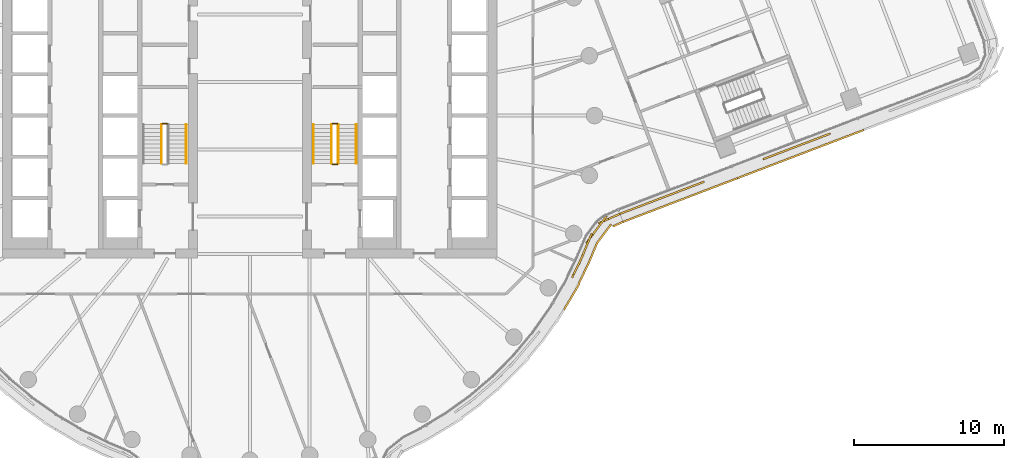
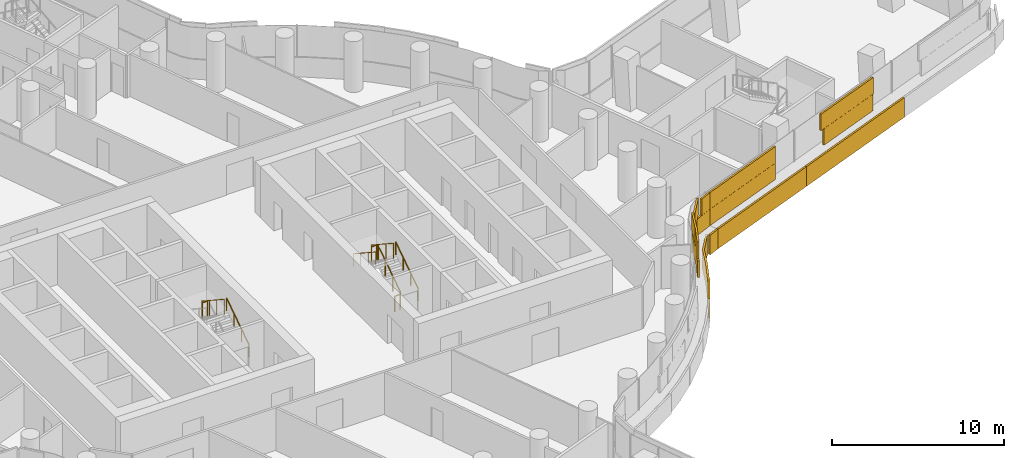
# One storey, part 29 of 32: 9 railings, 3 coverings.
"""IFC4 building model written with IfcOpenShell, lengths in metres."""

from ifc_helpers import new_model, si_unit, direction, frame, origin, origin_2d, place, context, subcontext, project, spatial, rectangle, circle, extrude, material, layer, layer_set, type_object, element, save


model = new_model("IFC4")

# Units and contexts
model_context = context("Model", 3, precision=1e-05, world=origin(), true_north=direction((0.0, 1.0)))
body_context = subcontext(model_context, "Body", "Model", "MODEL_VIEW")
ifc_project = project(units=[si_unit("LENGTHUNIT", "METRE"), si_unit("AREAUNIT", "SQUARE_METRE"), si_unit("VOLUMEUNIT", "CUBIC_METRE"), si_unit("PLANEANGLEUNIT", "RADIAN"), si_unit("MASSUNIT", "GRAM", prefix="KILO")], contexts=[model_context])

# Site, building, storey
site_placement = place(None, origin())
site = spatial("IfcSite", under=ifc_project, at=site_placement, CompositionType="ELEMENT")
building_placement = place(site_placement, origin())
building = spatial("IfcBuilding", under=site, at=building_placement, Name="Tamarind Cross Interchange Tower", CompositionType="ELEMENT")
storey_placement = place(building_placement, frame((0.0, 0.0, 109.75)))
storey = spatial("IfcBuildingStorey", under=building, at=storey_placement, Name="L26", CompositionType="ELEMENT", Elevation=109.75)

# Railings
ifc_material_1 = material(Name="Stair guard")
railing_type_1 = type_object("IfcRailingType", Name="Stair guard", PredefinedType="GUARDRAIL", material=ifc_material_1)
railing_1_placement = place(storey_placement, frame((-5.5, -0.550048828125, 1.875)))
element("IfcRailing", 1, at=railing_1_placement, inside=storey, type_object=railing_type_1, Name="L26 ST1 stair guard 2", PredefinedType="GUARDRAIL", context=body_context, shape_type="SweptSolid", body=[
    extrude(circle(Radius=0.02392578125, at=origin_2d()), frame((0.0, 0.0, 1.076171875), z_axis=(-1.0, 0.0, 0.0), x_axis=(0.0, -1.0, 0.0)), (0.0, 0.0, 1.0), 0.35009765625),
    extrude(circle(Radius=0.02099609375, at=origin_2d()), origin(), (0.0, 0.0, 1.0), 1.052001953125),
    extrude(circle(Radius=0.02099609375, at=origin_2d()), frame((-0.35009765625, 0.0, 0.0)), (0.0, 0.0, 1.0), 1.052001953125),
])
railing_2_placement = place(storey_placement, frame((-5.89990234375, -0.60009765625, 2.04541015625)))
element("IfcRailing", 2, at=railing_2_placement, inside=storey, type_object=railing_type_1, Name="L26 ST1 stair guard 3", PredefinedType="GUARDRAIL", context=body_context, shape_type="SweptSolid", body=[
    extrude(circle(Radius=0.02392578125, at=origin_2d()), frame((0.0, 0.0, 1.076171875), z_axis=(0.0, -0.836278606002, 0.548304744775), x_axis=(1.0, 0.0, 0.0)), (0.0, 0.0, 1.0), 3.10888671875),
    extrude(circle(Radius=0.02099609375, at=origin_2d()), origin(), (0.0, 0.0, 1.0), 1.052001953125),
    extrude(circle(Radius=0.02099609375, at=origin_2d()), frame((0.0, -0.86669921875, 0.568115234375)), (0.0, 0.0, 1.0), 1.052001953125),
    extrude(circle(Radius=0.02099609375, at=origin_2d()), frame((0.0, -1.733154296875, 1.136474609375)), (0.0, 0.0, 1.0), 1.052001953125),
    extrude(circle(Radius=0.02099609375, at=origin_2d()), frame((0.0, -2.599853515625, 1.70458984375)), (0.0, 0.0, 1.0), 1.052001953125),
])
railing_3_placement = place(storey_placement, frame((5.89990234375, -3.199951171875, 0.17041015625)))
element("IfcRailing", 3, at=railing_3_placement, inside=storey, type_object=railing_type_1, Name="L26 ST2 stair guard 1", PredefinedType="GUARDRAIL", context=body_context, shape_type="SweptSolid", body=[
    extrude(circle(Radius=0.02392578125, at=origin_2d()), frame((0.0, 0.0, 1.076171875), z_axis=(0.0, 0.836278606002, 0.548304744775), x_axis=(-1.0, 0.0, 0.0)), (0.0, 0.0, 1.0), 3.10888671875),
    extrude(circle(Radius=0.02099609375, at=origin_2d()), origin(), (0.0, 0.0, 1.0), 1.052001953125),
    extrude(circle(Radius=0.02099609375, at=origin_2d()), frame((0.0, 0.86669921875, 0.568115234375)), (0.0, 0.0, 1.0), 1.052001953125),
    extrude(circle(Radius=0.02099609375, at=origin_2d()), frame((0.0, 1.733154296875, 1.136474609375)), (0.0, 0.0, 1.0), 1.052001953125),
    extrude(circle(Radius=0.02099609375, at=origin_2d()), frame((0.0, 2.599853515625, 1.70458984375)), (0.0, 0.0, 1.0), 1.052001953125),
])
railing_4_placement = place(storey_placement, frame((5.85009765625, -0.550048828125, 1.875)))
element("IfcRailing", 4, at=railing_4_placement, inside=storey, type_object=railing_type_1, Name="L26 ST2 stair guard 2", PredefinedType="GUARDRAIL", context=body_context, shape_type="SweptSolid", body=[
    extrude(circle(Radius=0.02392578125, at=origin_2d()), frame((0.0, 0.0, 1.076171875), z_axis=(-1.0, 0.0, 0.0), x_axis=(0.0, -1.0, 0.0)), (0.0, 0.0, 1.0), 0.35009765625),
    extrude(circle(Radius=0.02099609375, at=origin_2d()), origin(), (0.0, 0.0, 1.0), 1.052001953125),
    extrude(circle(Radius=0.02099609375, at=origin_2d()), frame((-0.35009765625, 0.0, 0.0)), (0.0, 0.0, 1.0), 1.052001953125),
])
railing_5_placement = place(storey_placement, frame((5.449951171875, -0.60009765625, 2.04541015625)))
element("IfcRailing", 5, at=railing_5_placement, inside=storey, type_object=railing_type_1, Name="L26 ST2 stair guard 3", PredefinedType="GUARDRAIL", context=body_context, shape_type="SweptSolid", body=[
    extrude(circle(Radius=0.02392578125, at=origin_2d()), frame((0.0, 0.0, 1.076171875), z_axis=(0.0, -0.836278606002, 0.548304744775), x_axis=(1.0, 0.0, 0.0)), (0.0, 0.0, 1.0), 3.10888671875),
    extrude(circle(Radius=0.02099609375, at=origin_2d()), origin(), (0.0, 0.0, 1.0), 1.052001953125),
    extrude(circle(Radius=0.02099609375, at=origin_2d()), frame((0.0, -0.86669921875, 0.568115234375)), (0.0, 0.0, 1.0), 1.052001953125),
    extrude(circle(Radius=0.02099609375, at=origin_2d()), frame((0.0, -1.733154296875, 1.136474609375)), (0.0, 0.0, 1.0), 1.052001953125),
    extrude(circle(Radius=0.02099609375, at=origin_2d()), frame((0.0, -2.599853515625, 1.70458984375)), (0.0, 0.0, 1.0), 1.052001953125),
])
railing_6_placement = place(storey_placement, frame((5.85009765625, -3.25, 0.0)))
element("IfcRailing", 6, at=railing_6_placement, inside=storey, type_object=railing_type_1, Name="L26 ST2 stair guard 4", PredefinedType="GUARDRAIL", context=body_context, shape_type="SweptSolid", body=[
    extrude(circle(Radius=0.02392578125, at=origin_2d()), frame((0.0, 0.0, 1.076171875), z_axis=(-1.0, 0.0, 0.0), x_axis=(0.0, -1.0, 0.0)), (0.0, 0.0, 1.0), 0.35009765625),
    extrude(circle(Radius=0.02099609375, at=origin_2d()), origin(), (0.0, 0.0, 1.0), 1.052001953125),
    extrude(circle(Radius=0.02099609375, at=origin_2d()), frame((-0.35009765625, 0.0, 0.0)), (0.0, 0.0, 1.0), 1.052001953125),
])
ifc_material_2 = material(Name="Stair handrail")
railing_type_2 = type_object("IfcRailingType", Name="Stair handrail", PredefinedType="HANDRAIL", material=ifc_material_2)
for number, where, name in (
    (7, (-4.25, -3.199951171875, 0.17041015625), "L26 ST1 stair handrail 1"),
    (8, (7.10009765625, -3.199951171875, 0.17041015625), "L26 ST2 stair handrail 1"),
):
    element("IfcRailing", number, at=place(storey_placement, frame(where)), inside=storey, type_object=railing_type_2, Name=name, PredefinedType="HANDRAIL", context=body_context, shape_type="SweptSolid", body=[
        extrude(circle(Radius=0.02392578125, at=origin_2d()), frame((0.0, 0.0, 0.8759765625), z_axis=(0.0, 0.836278606002, 0.548304744775), x_axis=(-1.0, 0.0, 0.0)), (0.0, 0.0, 1.0), 3.10888671875),
        extrude(circle(Radius=0.02099609375, at=origin_2d()), origin(), (0.0, 0.0, 1.0), 0.851806640625),
        extrude(circle(Radius=0.02099609375, at=origin_2d()), frame((0.0, 0.86669921875, 0.568115234375)), (0.0, 0.0, 1.0), 0.851806640625),
        extrude(circle(Radius=0.02099609375, at=origin_2d()), frame((0.0, 1.733154296875, 1.136474609375)), (0.0, 0.0, 1.0), 0.851806640625),
        extrude(circle(Radius=0.02099609375, at=origin_2d()), frame((0.0, 2.599853515625, 1.70458984375)), (0.0, 0.0, 1.0), 0.851806640625),
    ])
railing_7_placement = place(storey_placement, frame((4.25, -0.60009765625, 2.04541015625)))
element("IfcRailing", 9, at=railing_7_placement, inside=storey, type_object=railing_type_2, Name="L26 ST2 stair handrail 2", PredefinedType="HANDRAIL", context=body_context, shape_type="SweptSolid", body=[
    extrude(circle(Radius=0.02392578125, at=origin_2d()), frame((0.0, 0.0, 0.8759765625), z_axis=(0.0, -0.836278606002, 0.548304744775), x_axis=(1.0, 0.0, 0.0)), (0.0, 0.0, 1.0), 3.10888671875),
    extrude(circle(Radius=0.02099609375, at=origin_2d()), origin(), (0.0, 0.0, 1.0), 0.851806640625),
    extrude(circle(Radius=0.02099609375, at=origin_2d()), frame((0.0, -0.86669921875, 0.568115234375)), (0.0, 0.0, 1.0), 0.851806640625),
    extrude(circle(Radius=0.02099609375, at=origin_2d()), frame((0.0, -1.733154296875, 1.136474609375)), (0.0, 0.0, 1.0), 0.851806640625),
    extrude(circle(Radius=0.02099609375, at=origin_2d()), frame((0.0, -2.599853515625, 1.70458984375)), (0.0, 0.0, 1.0), 0.851806640625),
])

# Coverings
ifc_material_3 = material(Name="Terracotta", Category="masonry")
ifc_layer = layer(ifc_material_3, 0.1201171875)
ifc_layer_set = layer_set([ifc_layer], Name="Terracotta")
covering_type = type_object("IfcCoveringType", Name="Terracotta baguette screen unit", PredefinedType="MOLDING", material=ifc_layer_set)
covering_1_placement = place(storey_placement, origin())
element("IfcCovering", 10, at=covering_1_placement, inside=storey, type_object=covering_type, Name="SCR-L26-06-01", PredefinedType="MOLDING", context=body_context, shape_type="SweptSolid", body=[
    extrude(rectangle(XDim=0.989013671875, YDim=0.1201171875, at=origin_2d()), frame((21.712646484375, -10.378662109375, 1.404052734375), z_axis=(0.0, 0.0, 1.0), x_axis=(0.435326231914, 0.900272776334, 0.0)), (0.0, 0.0, 1.0), 1.1669921875),
    extrude(rectangle(XDim=1.52001953125, YDim=0.1201171875, at=origin_2d()), frame((22.235107421875, -9.2548828125, 1.404052734375), z_axis=(0.0, 0.0, 1.0), x_axis=(0.386586658408, 0.92225308649, 0.0)), (0.0, 0.0, 1.0), 1.1669921875),
    extrude(rectangle(XDim=1.52001953125, YDim=0.1201171875, at=origin_2d()), frame((22.89501953125, -7.917724609375, 1.404052734375), z_axis=(0.0, 0.0, 1.0), x_axis=(0.601994011813, 0.798500600965, 0.0)), (0.0, 0.0, 1.0), 1.1669921875),
    extrude(rectangle(XDim=1.52001953125, YDim=0.1201171875, at=origin_2d()), frame((23.95166015625, -6.8876953125, 1.404052734375), z_axis=(0.0, 0.0, 1.0), x_axis=(0.915016944309, 0.403415408267, 0.0)), (0.0, 0.0, 1.0), 1.1669921875),
    extrude(rectangle(XDim=0.068359375, YDim=0.1201171875, at=origin_2d()), frame((24.664794921875, -6.573486328125, 1.404052734375), z_axis=(0.0, 0.0, 1.0), x_axis=(0.915016944309, 0.403415408267, 0.0)), (0.0, 0.0, 1.0), 1.1669921875),
    extrude(rectangle(XDim=1.52001953125, YDim=0.1201171875, at=origin_2d()), frame((21.92578125, -9.93798828125, 2.5791015625), z_axis=(0.0, 0.0, 1.0), x_axis=(0.435326231914, 0.900272776334, 0.0)), (0.0, 0.0, 1.0), 1.1669921875),
    extrude(rectangle(XDim=1.52001953125, YDim=0.1201171875, at=origin_2d()), frame((22.52490234375, -8.563232421875, 2.5791015625), z_axis=(0.0, 0.0, 1.0), x_axis=(0.386586658408, 0.92225308649, 0.0)), (0.0, 0.0, 1.0), 1.1669921875),
    extrude(rectangle(XDim=1.52001953125, YDim=0.1201171875, at=origin_2d()), frame((23.346435546875, -7.31884765625, 2.5791015625), z_axis=(0.0, 0.0, 1.0), x_axis=(0.601994011813, 0.798500600965, 0.0)), (0.0, 0.0, 1.0), 1.1669921875),
    extrude(rectangle(XDim=0.818359375, YDim=0.1201171875, at=origin_2d()), frame((24.321533203125, -6.724609375, 2.5791015625), z_axis=(0.0, 0.0, 1.0), x_axis=(0.915016944309, 0.403415408267, 0.0)), (0.0, 0.0, 1.0), 1.1669921875),
    extrude(rectangle(XDim=0.534423828125, YDim=0.1201171875, at=origin_2d()), frame((21.101318359375, -12.7236328125, 0.00390625), z_axis=(0.0, 0.0, 1.0), x_axis=(0.508183308752, 0.861248933065, 0.0)), (0.0, 0.0, 1.0), 1.39208984375),
    extrude(rectangle(XDim=1.52001953125, YDim=0.1201171875, at=origin_2d()), frame((21.61328125, -11.856201171875, 0.00390625), z_axis=(0.0, 0.0, 1.0), x_axis=(0.508183308752, 0.861248933065, 0.0)), (0.0, 0.0, 1.0), 1.39208984375),
    extrude(rectangle(XDim=1.52001953125, YDim=0.1201171875, at=origin_2d()), frame((22.2841796875, -10.515380859375, 0.00390625), z_axis=(0.0, 0.0, 1.0), x_axis=(0.435326231914, 0.900272776334, 0.0)), (0.0, 0.0, 1.0), 1.39208984375),
    extrude(rectangle(XDim=1.52001953125, YDim=0.1201171875, at=origin_2d()), frame((22.90185546875, -9.14892578125, 0.00390625), z_axis=(0.0, 0.0, 1.0), x_axis=(0.386586658408, 0.92225308649, 0.0)), (0.0, 0.0, 1.0), 1.39208984375),
    extrude(rectangle(XDim=1.52001953125, YDim=0.1201171875, at=origin_2d()), frame((23.65380859375, -7.864501953125, 0.00390625), z_axis=(0.0, 0.0, 1.0), x_axis=(0.601994011813, 0.798500600965, 0.0)), (0.0, 0.0, 1.0), 1.39208984375),
    extrude(rectangle(XDim=0.760498046875, YDim=0.1201171875, at=origin_2d()), frame((24.561767578125, -7.24609375, 0.00390625), z_axis=(0.0, 0.0, 1.0), x_axis=(0.915016944309, 0.403415408267, 0.0)), (0.0, 0.0, 1.0), 1.39208984375),
])
covering_2_placement = place(storey_placement, origin())
element("IfcCovering", 11, at=covering_2_placement, inside=storey, type_object=covering_type, Name="SCR-L26-07-00", PredefinedType="MOLDING", context=body_context, shape_type="SweptSolid", body=[
    extrude(rectangle(XDim=1.510009765625, YDim=0.1201171875, at=origin_2d()), frame((25.39208984375, -6.294189453125, 1.404052734375), z_axis=(0.0, 0.0, 1.0), x_axis=(0.934229377055, 0.356672778674, 0.0)), (0.0, 0.0, 1.0), 1.1669921875),
    extrude(rectangle(XDim=1.52001953125, YDim=0.1201171875, at=origin_2d()), frame((26.79345703125, -5.759033203125, 1.404052734375), z_axis=(0.0, 0.0, 1.0), x_axis=(0.934229377055, 0.356672778674, 0.0)), (0.0, 0.0, 1.0), 1.1669921875),
    extrude(rectangle(XDim=1.52001953125, YDim=0.1201171875, at=origin_2d()), frame((28.19482421875, -5.22412109375, 1.404052734375), z_axis=(0.0, 0.0, 1.0), x_axis=(0.934229377055, 0.356672778674, 0.0)), (0.0, 0.0, 1.0), 1.1669921875),
    extrude(rectangle(XDim=1.52001953125, YDim=0.1201171875, at=origin_2d()), frame((29.59619140625, -4.68896484375, 1.404052734375), z_axis=(0.0, 0.0, 1.0), x_axis=(0.934229377055, 0.356672778674, 0.0)), (0.0, 0.0, 1.0), 1.1669921875),
    extrude(rectangle(XDim=0.760009765625, YDim=0.1201171875, at=origin_2d()), frame((25.041748046875, -6.427734375, 2.5791015625), z_axis=(0.0, 0.0, 1.0), x_axis=(0.934229377055, 0.356672778674, 0.0)), (0.0, 0.0, 1.0), 1.1669921875),
    extrude(rectangle(XDim=1.52001953125, YDim=0.1201171875, at=origin_2d()), frame((26.0927734375, -6.026611328125, 2.5791015625), z_axis=(0.0, 0.0, 1.0), x_axis=(0.934229377055, 0.356672778674, 0.0)), (0.0, 0.0, 1.0), 1.1669921875),
    extrude(rectangle(XDim=1.52001953125, YDim=0.1201171875, at=origin_2d()), frame((27.494140625, -5.49169921875, 2.5791015625), z_axis=(0.0, 0.0, 1.0), x_axis=(0.934229377055, 0.356672778674, 0.0)), (0.0, 0.0, 1.0), 1.1669921875),
    extrude(rectangle(XDim=1.52001953125, YDim=0.1201171875, at=origin_2d()), frame((28.8955078125, -4.95654296875, 2.5791015625), z_axis=(0.0, 0.0, 1.0), x_axis=(0.934229377055, 0.356672778674, 0.0)), (0.0, 0.0, 1.0), 1.1669921875),
    extrude(rectangle(XDim=0.791259765625, YDim=0.1201171875, at=origin_2d()), frame((29.961181640625, -4.5498046875, 2.5791015625), z_axis=(0.0, 0.0, 1.0), x_axis=(0.934229377055, 0.356672778674, 0.0)), (0.0, 0.0, 1.0), 1.1669921875),
    extrude(rectangle(XDim=1.510009765625, YDim=0.1201171875, at=origin_2d()), frame((25.614990234375, -6.823486328125, 0.00390625), z_axis=(0.0, 0.0, 1.0), x_axis=(0.934229377055, 0.356672778674, 0.0)), (0.0, 0.0, 1.0), 1.39208984375),
    extrude(rectangle(XDim=1.52001953125, YDim=0.1201171875, at=origin_2d()), frame((27.01171875, -6.2900390625, 0.00390625), z_axis=(0.0, 0.0, 1.0), x_axis=(0.934229377055, 0.356672778674, 0.0)), (0.0, 0.0, 1.0), 1.39208984375),
    extrude(rectangle(XDim=1.52001953125, YDim=0.1201171875, at=origin_2d()), frame((28.4130859375, -5.755126953125, 0.00390625), z_axis=(0.0, 0.0, 1.0), x_axis=(0.934229377055, 0.356672778674, 0.0)), (0.0, 0.0, 1.0), 1.39208984375),
    extrude(rectangle(XDim=1.52001953125, YDim=0.1201171875, at=origin_2d()), frame((29.814453125, -5.22021484375, 0.00390625), z_axis=(0.0, 0.0, 1.0), x_axis=(0.934229377055, 0.356672778674, 0.0)), (0.0, 0.0, 1.0), 1.39208984375),
    extrude(rectangle(XDim=1.52001953125, YDim=0.1201171875, at=origin_2d()), frame((31.2158203125, -4.68505859375, 0.00390625), z_axis=(0.0, 0.0, 1.0), x_axis=(0.934229377055, 0.356672778674, 0.0)), (0.0, 0.0, 1.0), 1.39208984375),
    extrude(rectangle(XDim=0.6611328125, YDim=0.1201171875, at=origin_2d()), frame((32.2158203125, -4.30322265625, 0.00390625), z_axis=(0.0, 0.0, 1.0), x_axis=(0.934229377055, 0.356672778674, 0.0)), (0.0, 0.0, 1.0), 1.39208984375),
])
covering_3_placement = place(storey_placement, origin())
element("IfcCovering", 12, at=covering_3_placement, inside=storey, type_object=covering_type, Name="SCR-L26-07-01", PredefinedType="MOLDING", context=body_context, shape_type="SweptSolid", body=[
    extrude(rectangle(XDim=1.52001953125, YDim=0.1201171875, at=origin_2d()), frame((35.201416015625, -2.549072265625, 1.404052734375), z_axis=(0.0, 0.0, 1.0), x_axis=(0.934229377055, 0.356672778674, 0.0)), (0.0, 0.0, 1.0), 1.1669921875),
    extrude(rectangle(XDim=1.52001953125, YDim=0.1201171875, at=origin_2d()), frame((36.602783203125, -2.013916015625, 1.404052734375), z_axis=(0.0, 0.0, 1.0), x_axis=(0.934229377055, 0.356672778674, 0.0)), (0.0, 0.0, 1.0), 1.1669921875),
    extrude(rectangle(XDim=1.52001953125, YDim=0.1201171875, at=origin_2d()), frame((38.004150390625, -1.47900390625, 1.404052734375), z_axis=(0.0, 0.0, 1.0), x_axis=(0.934229377055, 0.356672778674, 0.0)), (0.0, 0.0, 1.0), 1.1669921875),
    extrude(rectangle(XDim=1.02880859375, YDim=0.1201171875, at=origin_2d()), frame((34.7255859375, -2.730712890625, 2.5791015625), z_axis=(0.0, 0.0, 1.0), x_axis=(0.934229377055, 0.356672778674, 0.0)), (0.0, 0.0, 1.0), 1.1669921875),
    extrude(rectangle(XDim=1.52001953125, YDim=0.1201171875, at=origin_2d()), frame((35.902099609375, -2.281494140625, 2.5791015625), z_axis=(0.0, 0.0, 1.0), x_axis=(0.934229377055, 0.356672778674, 0.0)), (0.0, 0.0, 1.0), 1.1669921875),
    extrude(rectangle(XDim=1.52001953125, YDim=0.1201171875, at=origin_2d()), frame((37.303466796875, -1.74658203125, 2.5791015625), z_axis=(0.0, 0.0, 1.0), x_axis=(0.934229377055, 0.356672778674, 0.0)), (0.0, 0.0, 1.0), 1.1669921875),
    extrude(rectangle(XDim=0.794677734375, YDim=0.1201171875, at=origin_2d()), frame((38.370849609375, -1.339111328125, 2.5791015625), z_axis=(0.0, 0.0, 1.0), x_axis=(0.934229377055, 0.356672778674, 0.0)), (0.0, 0.0, 1.0), 1.1669921875),
    extrude(rectangle(XDim=0.85888671875, YDim=0.1201171875, at=origin_2d()), frame((32.926025390625, -4.0322265625, 0.00390625), z_axis=(0.0, 0.0, 1.0), x_axis=(0.934229377055, 0.356672778674, 0.0)), (0.0, 0.0, 1.0), 1.39208984375),
    extrude(rectangle(XDim=1.52001953125, YDim=0.1201171875, at=origin_2d()), frame((34.0185546875, -3.614990234375, 0.00390625), z_axis=(0.0, 0.0, 1.0), x_axis=(0.934229377055, 0.356672778674, 0.0)), (0.0, 0.0, 1.0), 1.39208984375),
    extrude(rectangle(XDim=1.52001953125, YDim=0.1201171875, at=origin_2d()), frame((35.419921875, -3.080078125, 0.00390625), z_axis=(0.0, 0.0, 1.0), x_axis=(0.934229377055, 0.356672778674, 0.0)), (0.0, 0.0, 1.0), 1.39208984375),
    extrude(rectangle(XDim=1.52001953125, YDim=0.1201171875, at=origin_2d()), frame((36.821044921875, -2.545166015625, 0.00390625), z_axis=(0.0, 0.0, 1.0), x_axis=(0.934229377055, 0.356672778674, 0.0)), (0.0, 0.0, 1.0), 1.39208984375),
    extrude(rectangle(XDim=1.52001953125, YDim=0.1201171875, at=origin_2d()), frame((38.222412109375, -2.010009765625, 0.00390625), z_axis=(0.0, 0.0, 1.0), x_axis=(0.934229377055, 0.356672778674, 0.0)), (0.0, 0.0, 1.0), 1.39208984375),
    extrude(rectangle(XDim=1.52001953125, YDim=0.1201171875, at=origin_2d()), frame((39.623779296875, -1.47509765625, 0.00390625), z_axis=(0.0, 0.0, 1.0), x_axis=(0.934229377055, 0.356672778674, 0.0)), (0.0, 0.0, 1.0), 1.39208984375),
    extrude(rectangle(XDim=0.6865234375, YDim=0.1201171875, at=origin_2d()), frame((40.635986328125, -1.088623046875, 0.00390625), z_axis=(0.0, 0.0, 1.0), x_axis=(0.934229377055, 0.356672778674, 0.0)), (0.0, 0.0, 1.0), 1.39208984375),
])

save(model, "model.ifc")
